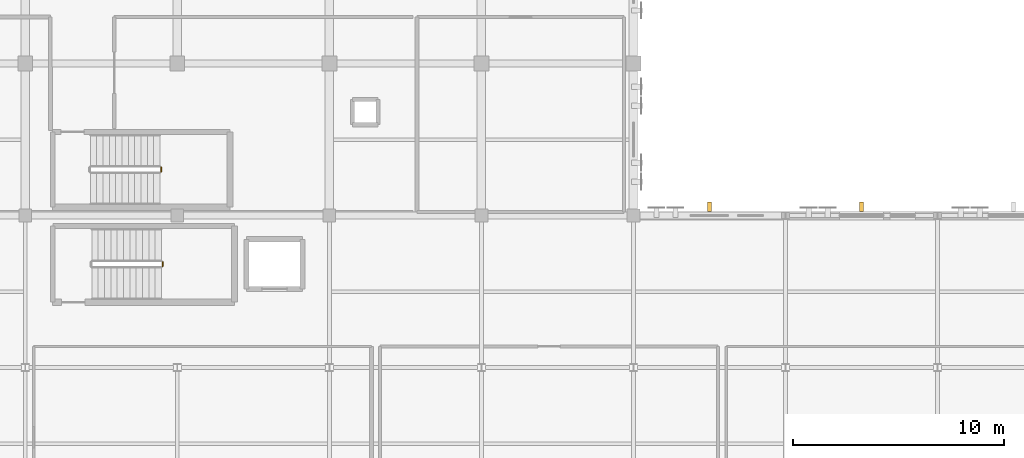
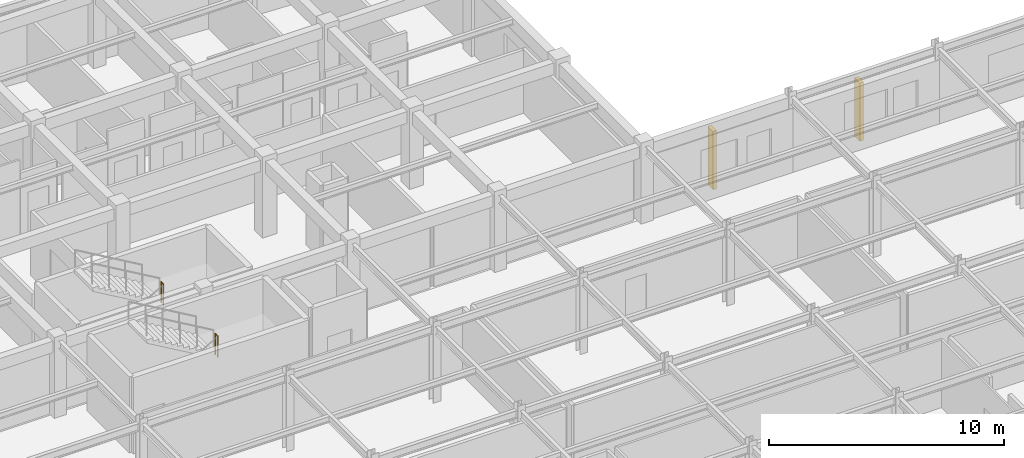
# One storey, part 112 of 113: 2 railings, 2 shading devices.
"""IFC4 building model written with IfcOpenShell, lengths in metres."""

from ifc_helpers import new_model, si_unit, direction, frame, origin, origin_2d, place, context, subcontext, project, spatial, rectangle, circle, extrude, material, layer, layer_set, type_object, element, save


model = new_model("IFC4")

# Units and contexts
model_context = context("Model", 3, precision=1e-05, world=origin(), true_north=direction((0.0, 1.0)))
body_context = subcontext(model_context, "Body", "Model", "MODEL_VIEW")
ifc_project = project(units=[si_unit("LENGTHUNIT", "METRE"), si_unit("AREAUNIT", "SQUARE_METRE"), si_unit("VOLUMEUNIT", "CUBIC_METRE"), si_unit("PLANEANGLEUNIT", "RADIAN"), si_unit("MASSUNIT", "GRAM", prefix="KILO")], contexts=[model_context])

# Site, building, storey
site_placement = place(None, origin())
site = spatial("IfcSite", under=ifc_project, at=site_placement, CompositionType="ELEMENT")
building_placement = place(site_placement, origin())
building = spatial("IfcBuilding", under=site, at=building_placement, Name="Carrowvane Square Congress Hotel", CompositionType="ELEMENT")
storey_placement = place(building_placement, frame((0.0, 0.0, 15.0)))
storey = spatial("IfcBuildingStorey", under=building, at=storey_placement, Name="L03", CompositionType="ELEMENT", Elevation=15.0)

# Railings
ifc_material_1 = material(Name="Galvanised steel", Category="steel")
ifc_layer = layer(ifc_material_1, 0.048095703125)
ifc_layer_set = layer_set([ifc_layer], Name="Galvanised steel")
railing_type = type_object("IfcRailingType", Name="RLG-STG-1100", PredefinedType="GUARDRAIL", material=ifc_layer_set)
for number, where, name in (
    (1, (140.5, 89.39990234375, 2.10009765625), "L03 ST8 stair guard 2"),
    (2, (140.429931640625, 93.8798828125, 2.10009765625), "L03 ST12 stair guard 2"),
):
    element("IfcRailing", number, at=place(storey_placement, frame(where)), inside=storey, type_object=railing_type, Name=name, PredefinedType="GUARDRAIL", context=body_context, shape_type="SweptSolid", body=[
        extrude(circle(Radius=0.02392578125, at=origin_2d()), frame((0.0, 0.0, 1.076171875), z_axis=(0.0, 1.0, 0.0), x_axis=(-1.0, 0.0, 0.0)), (0.0, 0.0, 1.0), 0.2001953125),
        extrude(circle(Radius=0.02099609375, at=origin_2d()), origin(), (0.0, 0.0, 1.0), 1.052001953125),
        extrude(circle(Radius=0.02099609375, at=origin_2d()), frame((0.0, 0.2001953125, 0.0)), (0.0, 0.0, 1.0), 1.052001953125),
    ])

# Shading devices
ifc_material_2 = material(Name="Portland limestone cladding", Category="masonry")
shading_device_type = type_object("IfcShadingDeviceType", Name="SHD-FIN-LS", PredefinedType="USERDEFINED", material=ifc_material_2)
for number, where, z_axis, x_axis, name in (
    (3, (166.39990234375, 92.2099609375, 0.150146484375), (0.0, 0.0, 1.0), (1.0, 0.0, 0.0), "Limestone brise-soleil fin 17"),
    (4, (173.60009765625, 92.2099609375, 0.150146484375), (0.0, 0.0, 1.0), (1.0, 0.0, 0.0), "Limestone brise-soleil fin 18"),
):
    element("IfcShadingDevice", number, at=place(storey_placement, frame(where, z_axis=z_axis, x_axis=x_axis)), inside=storey, type_object=shading_device_type, Name=name, ObjectType="FIN", PredefinedType="USERDEFINED", context=body_context, shape_type="SweptSolid", body=[
        extrude(rectangle(XDim=0.179931640625, YDim=0.449951171875, at=origin_2d()), origin(), (0.0, 0.0, 1.0), 3.02490234375),
    ])

save(model, "model.ifc")
